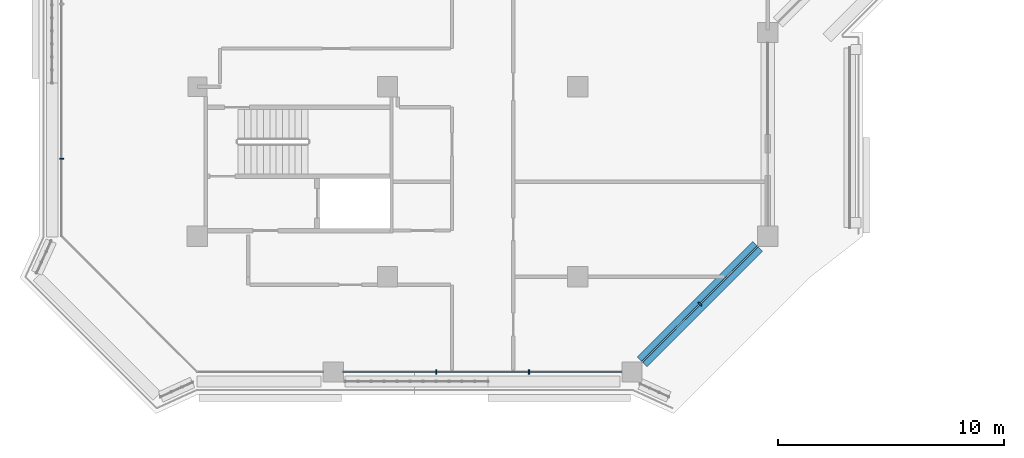
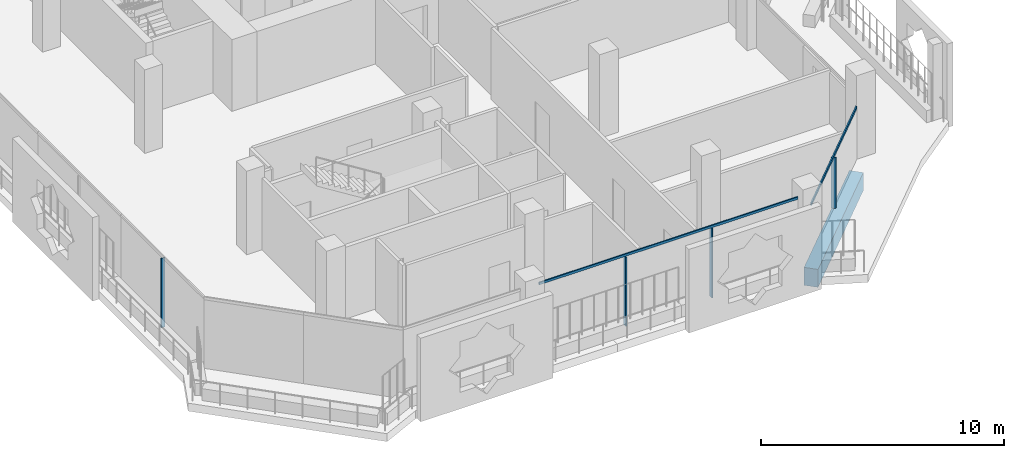
# One storey, part 2 of 23: 6 members, 1 beam, 3 elements without a shape of their own.
"""IFC4 building model written with IfcOpenShell, lengths in metres."""

import ifcopenshell
import ifcopenshell.guid

model = None  # the IFC model being written
_history = None  # IfcOwnerHistory: only IFC2X3 demands one
_inside = {}  # id of a spatial element -> (the spatial element, [elements in it])
_under = {}  # id of a project, library or spatial element -> (it, [spatial elements below it])
_declared = {}  # id of a project -> (the project, [libraries it declares])
_typed = {}  # id of a type object -> (the type object, [elements of that type])
_made_of = {}  # id of a material, layer set ... -> (it, [elements and type objects made of it])


def new_model(schema):
    """Start an empty IFC model of exactly this schema.

    Asked for "IFC4X3", IfcOpenShell would pick the latest addendum, in which some entities
    have other attributes; the version numbers below select the first issue.
    IFC2X3 requires an IfcOwnerHistory on every rooted entity: one is made here for all.
    """
    global model, _history
    if schema == "IFC4X3":
        model = ifcopenshell.file(schema_version=(4, 3, 0, 0))
    else:
        model = ifcopenshell.file(schema=schema)
    _inside.clear()
    _under.clear()
    _declared.clear()
    _typed.clear()
    _made_of.clear()
    _history = None
    if model.schema == "IFC2X3":
        org = make("IfcOrganization", Name="unknown")
        user = make(
            "IfcPersonAndOrganization",
            ThePerson=make("IfcPerson", FamilyName="unknown"),
            TheOrganization=org,
        )
        app = make(
            "IfcApplication",
            ApplicationDeveloper=org,
            Version="unknown",
            ApplicationFullName="unknown",
            ApplicationIdentifier="unknown",
        )
        _history = make(
            "IfcOwnerHistory",
            OwningUser=user,
            OwningApplication=app,
            ChangeAction="ADDED",
            CreationDate=0,
        )
    return model


def make(cls, **values):
    """One entity of the class cls with the attributes given. An attribute that is None is left unset."""
    return model.create_entity(
        cls, **{name: value for name, value in values.items() if value is not None}
    )


def rooted(cls, **values):
    """An entity with a GlobalId (a new one), such as an element, a storey or a relation."""
    return make(cls, GlobalId=ifcopenshell.guid.new(), OwnerHistory=_history, **values)


def si_unit(unit_type, name, prefix=None):
    """IfcSIUnit, for example si_unit("LENGTHUNIT", "METRE", prefix="MILLI")."""
    return make("IfcSIUnit", UnitType=unit_type, Prefix=prefix, Name=name)


def assignment(units):
    """IfcUnitAssignment: the units of a project."""
    return None if units is None else make("IfcUnitAssignment", Units=units)


def point(xyz):
    """IfcCartesianPoint."""
    return None if xyz is None else make("IfcCartesianPoint", Coordinates=xyz)


def direction(xyz):
    """IfcDirection."""
    return None if xyz is None else make("IfcDirection", DirectionRatios=xyz)


def frame(location, z_axis=None, x_axis=None):
    """IfcAxis2Placement3D, a coordinate frame: its origin and axes. An axis left out is left unset."""
    return make(
        "IfcAxis2Placement3D",
        Location=point(location),
        Axis=direction(z_axis),
        RefDirection=direction(x_axis),
    )


def frame_2d(location, x_axis=None):
    """IfcAxis2Placement2D, a coordinate frame in the plane: its origin and x axis."""
    return make(
        "IfcAxis2Placement2D", Location=point(location), RefDirection=direction(x_axis)
    )


def origin():
    """The frame at (0, 0, 0) with its axes left unset."""
    return frame((0.0, 0.0, 0.0))


def origin_2d():
    """The frame at (0, 0) in the plane with its x axis left unset."""
    return frame_2d((0.0, 0.0))


def place(relative_to, where):
    """IfcLocalPlacement: puts the frame where relative to a parent placement (None: the world)."""
    return make(
        "IfcLocalPlacement", PlacementRelTo=relative_to, RelativePlacement=where
    )


def context(
    kind, dimensions, precision=None, world=None, true_north=None, identifier=None
):
    """IfcGeometricRepresentationContext, for example the 3D "Model" context."""
    return make(
        "IfcGeometricRepresentationContext",
        ContextIdentifier=identifier,
        ContextType=kind,
        CoordinateSpaceDimension=dimensions,
        Precision=precision,
        WorldCoordinateSystem=world,
        TrueNorth=true_north,
    )


def subcontext(parent, identifier, kind, view, scale=None):
    """IfcGeometricRepresentationSubContext, for example "Body" below "Model"."""
    return make(
        "IfcGeometricRepresentationSubContext",
        ContextIdentifier=identifier,
        ContextType=kind,
        ParentContext=parent,
        TargetScale=scale,
        TargetView=view,
    )


def project(units=None, contexts=None):
    """IfcProject with its units and contexts."""
    return rooted(
        "IfcProject",
        Name="project",
        RepresentationContexts=contexts,
        UnitsInContext=assignment(units),
    )


def spatial(cls, under=None, at=None, **own):
    """A site, building, storey or space (cls), placed at a placement, below another one or the project."""
    s = rooted(cls, ObjectPlacement=at, **own)
    if under is not None:
        _under.setdefault(under.id(), (under, []))[1].append(s)
    return s


def profile(cls, at=None, kind="AREA", **sizes):
    """A parametric profile (cls). Its sizes go by their IFC names, for example OverallWidth=200.0."""
    return make(cls, ProfileType=kind, Position=at, **sizes)


def rectangle(**sizes):
    """IfcRectangleProfileDef."""
    return profile("IfcRectangleProfileDef", **sizes)


def extrude(swept, where, along, depth):
    """IfcExtrudedAreaSolid: the profile swept, set in the frame where, extruded along a direction by depth."""
    return make(
        "IfcExtrudedAreaSolid",
        SweptArea=swept,
        Position=where,
        ExtrudedDirection=direction(along),
        Depth=depth,
    )


def shape(context_of_items, identifier, shape_type, items):
    """IfcShapeRepresentation: the items that make up one representation, for example the "Body"."""
    return make(
        "IfcShapeRepresentation",
        ContextOfItems=context_of_items,
        RepresentationIdentifier=identifier,
        RepresentationType=shape_type,
        Items=items,
    )


def material(Name=None, Category=None):
    """IfcMaterial."""
    return make("IfcMaterial", Name=Name, Category=Category)


def layer(
    of_material, thickness, ventilated=None, Name=None, Category=None, Priority=None
):
    """IfcMaterialLayer: one layer of a wall or slab, of a material (None: an air gap)."""
    return make(
        "IfcMaterialLayer",
        Material=of_material,
        LayerThickness=thickness,
        IsVentilated=ventilated,
        Name=Name,
        Category=Category,
        Priority=Priority,
    )


def layer_set(layers, Name=None):
    """IfcMaterialLayerSet."""
    return make("IfcMaterialLayerSet", MaterialLayers=layers, LayerSetName=Name)


def material_profile(
    of_material, cross_section, Name=None, Category=None, Priority=None
):
    """IfcMaterialProfile: a cross section and its material."""
    return make(
        "IfcMaterialProfile",
        Name=Name,
        Material=of_material,
        Profile=cross_section,
        Priority=Priority,
        Category=Category,
    )


def profile_set(profiles, Name=None, composite=None):
    """IfcMaterialProfileSet."""
    return make(
        "IfcMaterialProfileSet",
        Name=Name,
        MaterialProfiles=profiles,
        CompositeProfile=composite,
    )


def made_of(thing, what):
    """Note that an element or type object is made of a material, layer set ...; save() writes the relation."""
    if what is not None:
        _made_of.setdefault(what.id(), (what, []))[1].append(thing)
    return thing


def type_object(cls, material=None, **own):
    """A type object (cls), such as IfcWallType, which elements share."""
    return made_of(rooted(cls, **own), material)


def element(
    cls,
    number,
    at=None,
    inside=None,
    cuts=None,
    type_object=None,
    material=None,
    context=None,
    identifier="Body",
    shape_type=None,
    held_by="IfcProductDefinitionShape",
    body=None,
    shapes=None,
    **own,
):
    """One element of the class cls, such as IfcWall. Its Tag is "e" and its number.

    at: its placement. inside: the storey or other place that contains it. cuts: it is an
    opening in that element (IfcRelVoidsElement). A single representation is given by context,
    identifier, shape_type and body (its items); several are given by shapes. held_by: the class
    of the entity that holds the representations. save() writes the other relations.
    """
    e = rooted(cls, Tag="e%d" % number, ObjectPlacement=at, **own)
    if body is not None:
        shapes = [shape(context, identifier, shape_type, body)]
    if shapes is not None:
        e.Representation = make(held_by, Representations=shapes)
    if inside is not None:
        _inside.setdefault(inside.id(), (inside, []))[1].append(e)
    if cuts is not None:
        rooted(
            "IfcRelVoidsElement", RelatingBuildingElement=cuts, RelatedOpeningElement=e
        )
    if type_object is not None:
        _typed.setdefault(type_object.id(), (type_object, []))[1].append(e)
    return made_of(e, material)


def aggregate(whole, parts):
    """IfcRelAggregates: a whole, such as a stair, and the parts it consists of."""
    return rooted("IfcRelAggregates", RelatingObject=whole, RelatedObjects=parts)


def save(model, path):
    """Write the relations noted so far, then the file.

    IfcRelAggregates (storeys below a building ...), IfcRelContainedInSpatialStructure (elements
    in a storey), IfcRelDefinesByType, IfcRelAssociatesMaterial and IfcRelDeclares: one each for
    every whole, place, type object, material and project.
    """
    for whole, parts in _under.values():
        aggregate(whole, parts)
    for where, things in _inside.values():
        rooted(
            "IfcRelContainedInSpatialStructure",
            RelatedElements=things,
            RelatingStructure=where,
        )
    for kind, things in _typed.values():
        rooted("IfcRelDefinesByType", RelatedObjects=things, RelatingType=kind)
    for what, things in _made_of.values():
        rooted("IfcRelAssociatesMaterial", RelatedObjects=things, RelatingMaterial=what)
    for by, libraries in _declared.values():
        rooted("IfcRelDeclares", RelatingContext=by, RelatedDefinitions=libraries)
    model.write(path)


model = new_model("IFC4")

# Units and contexts
model_context = context("Model", 3, precision=1e-05, world=origin(), true_north=direction((0.0, 1.0)))
body_context = subcontext(model_context, "Body", "Model", "MODEL_VIEW")
ifc_project = project(units=[si_unit("LENGTHUNIT", "METRE"), si_unit("AREAUNIT", "SQUARE_METRE"), si_unit("VOLUMEUNIT", "CUBIC_METRE"), si_unit("PLANEANGLEUNIT", "RADIAN"), si_unit("MASSUNIT", "GRAM", prefix="KILO")], contexts=[model_context])

# Site, building, storey
site_placement = place(None, origin())
site = spatial("IfcSite", under=ifc_project, at=site_placement, CompositionType="ELEMENT")
building_placement = place(site_placement, origin())
building = spatial("IfcBuilding", under=site, at=building_placement, Name="Kawkab Arch Medical Tower", CompositionType="ELEMENT")
storey_placement = place(building_placement, frame((0.0, 0.0, 247.39990234375)))
storey = spatial("IfcBuildingStorey", under=building, at=storey_placement, Name="L57", CompositionType="ELEMENT", Elevation=247.39990234375)

# Curtain wall, member
ifc_material_1 = material(Name="Bronze anodised aluminium curtain wall frame", Category="aluminium")
ifc_layer_1 = layer(ifc_material_1, 0.159912109375)
ifc_layer_set_1 = layer_set([ifc_layer_1], Name="Bronze anodised aluminium curtain wall frame")
curtain_wall_type_1 = type_object("IfcCurtainWallType", Name="CW1 ward curtain wall", PredefinedType="NOTDEFINED", material=ifc_layer_set_1)
placement = place(storey_placement, origin())
curtain_wall_1 = element("IfcCurtainWall", 1, at=placement, inside=storey, type_object=curtain_wall_type_1, Name="CW1 Ward curtain wall R01", PredefinedType="NOTDEFINED")
ifc_material_2 = material(Name="Bronze anodised aluminium curtain wall frame", Category="aluminium")
ifc_material_profile_1 = material_profile(ifc_material_2, rectangle(XDim=0.179931640625, YDim=0.06005859375, at=origin_2d()), Name="AL 60x180")
ifc_profile_set_1 = profile_set([ifc_material_profile_1], Name="Bronze anodised aluminium curtain wall frame")
member_type_1 = type_object("IfcMemberType", Name="CW1 mullion 60 x 180", PredefinedType="MULLION", material=ifc_profile_set_1)
member_1_placement = place(storey_placement, frame((-6.0, -36.780029296875, 0.0), z_axis=(0.0, 0.0, 1.0), x_axis=(1.0, 0.0, 0.0)))
member_1 = element("IfcMember", 2, at=member_1_placement, type_object=member_type_1, Name="CW1 mullion 5.1", PredefinedType="MULLION", context=body_context, shape_type="SweptSolid", body=[
    extrude(rectangle(XDim=0.179931640625, YDim=0.06005859375, at=origin_2d()), origin(), (0.0, 0.0, 1.0), 3.47998046875),
])
aggregate(curtain_wall_1, [member_1])

# Curtain wall, members
curtain_wall_2 = element("IfcCurtainWall", 3, at=placement, inside=storey, type_object=curtain_wall_type_1, Name="CW1 Ward curtain wall R03", PredefinedType="NOTDEFINED")
member_2_placement = place(storey_placement, frame((10.550048828125, -46.199951171875, 0.0), z_axis=(0.0, 0.0, 1.0), x_axis=(0.0, 1.0, 0.0)))
member_2 = element("IfcMember", 4, at=member_2_placement, type_object=member_type_1, Name="CW1 mullion 2.1", PredefinedType="MULLION", context=body_context, shape_type="SweptSolid", body=[
    extrude(rectangle(XDim=0.179931640625, YDim=0.06005859375, at=origin_2d()), origin(), (0.0, 0.0, 1.0), 3.47998046875),
])
member_3_placement = place(storey_placement, frame((14.64990234375, -46.199951171875, 0.0), z_axis=(0.0, 0.0, 1.0), x_axis=(0.0, 1.0, 0.0)))
member_3 = element("IfcMember", 5, at=member_3_placement, type_object=member_type_1, Name="CW1 mullion 2.2", PredefinedType="MULLION", context=body_context, shape_type="SweptSolid", body=[
    extrude(rectangle(XDim=0.179931640625, YDim=0.06005859375, at=origin_2d()), origin(), (0.0, 0.0, 1.0), 3.47998046875),
])
ifc_material_3 = material(Name="Bronze anodised aluminium curtain wall frame", Category="aluminium")
ifc_material_profile_2 = material_profile(ifc_material_3, rectangle(XDim=0.06005859375, YDim=0.1201171875, at=origin_2d()), Name="AL 60x120")
ifc_profile_set_2 = profile_set([ifc_material_profile_2], Name="Bronze anodised aluminium curtain wall frame")
member_type_2 = type_object("IfcMemberType", Name="CW1 transom 120 x 60", PredefinedType="USERDEFINED", material=ifc_profile_set_2)
member_4_placement = place(storey_placement, frame((6.449951171875, -46.199951171875, 3.5400390625), z_axis=(1.0, 0.0, 0.0), x_axis=(0.0, 1.0, 0.0)))
member_4 = element("IfcMember", 6, at=member_4_placement, type_object=member_type_2, Name="CW1 transom 2", ObjectType="TRANSOM", PredefinedType="USERDEFINED", context=body_context, shape_type="SweptSolid", body=[
    extrude(rectangle(XDim=0.06005859375, YDim=0.1201171875, at=origin_2d()), origin(), (0.0, 0.0, 1.0), 12.300048828125),
])
aggregate(curtain_wall_2, [member_4, member_2, member_3])

ifc_material_4 = material(Name="Bronze anodised aluminium curtain wall frame", Category="aluminium")
ifc_layer_2 = layer(ifc_material_4, 0.159912109375)
ifc_layer_set_2 = layer_set([ifc_layer_2], Name="Bronze anodised aluminium curtain wall frame")
curtain_wall_type_2 = type_object("IfcCurtainWallType", Name="CW2 chamfer curtain wall", PredefinedType="NOTDEFINED", material=ifc_layer_set_2)
curtain_wall_3 = element("IfcCurtainWall", 7, at=placement, inside=storey, type_object=curtain_wall_type_2, Name="CW2 Chamfer curtain wall R04", PredefinedType="NOTDEFINED")
ifc_material_5 = material(Name="Bronze anodised aluminium curtain wall frame", Category="aluminium")
ifc_material_profile_3 = material_profile(ifc_material_5, rectangle(XDim=0.199951171875, YDim=0.06005859375, at=origin_2d()), Name="AL 60x200")
ifc_profile_set_3 = profile_set([ifc_material_profile_3], Name="Bronze anodised aluminium curtain wall frame")
member_type_3 = type_object("IfcMemberType", Name="CW2 mullion 60 x 200", PredefinedType="MULLION", material=ifc_profile_set_3)
member_5_placement = place(storey_placement, frame((22.199951171875, -43.199951171875, 0.0), z_axis=(0.0, 0.0, 1.0), x_axis=(-0.707106781187, 0.707106781187, 0.0)))
member_5 = element("IfcMember", 8, at=member_5_placement, type_object=member_type_3, Name="CW2 mullion 1.1", PredefinedType="MULLION", context=body_context, shape_type="SweptSolid", body=[
    extrude(rectangle(XDim=0.199951171875, YDim=0.06005859375, at=origin_2d()), origin(), (0.0, 0.0, 1.0), 2.56005859375),
])
ifc_material_6 = material(Name="Bronze anodised aluminium curtain wall frame", Category="aluminium")
ifc_material_profile_4 = material_profile(ifc_material_6, rectangle(XDim=0.06005859375, YDim=0.139892578125, at=origin_2d()), Name="AL 60x140")
ifc_profile_set_4 = profile_set([ifc_material_profile_4], Name="Bronze anodised aluminium curtain wall frame")
member_type_4 = type_object("IfcMemberType", Name="CW2 transom 140 x 60", PredefinedType="USERDEFINED", material=ifc_profile_set_4)
member_6_placement = place(storey_placement, frame((19.64990234375, -45.75, 2.630126953125), z_axis=(0.707106781187, 0.707106781187, 0.0), x_axis=(-0.707106781187, 0.707106781187, 0.0)))
member_6 = element("IfcMember", 9, at=member_6_placement, type_object=member_type_4, Name="CW2 transom 1", ObjectType="TRANSOM", PredefinedType="USERDEFINED", context=body_context, shape_type="SweptSolid", body=[
    extrude(rectangle(XDim=0.06005859375, YDim=0.139892578125, at=origin_2d()), origin(), (0.0, 0.0, 1.0), 7.212646484375),
])
aggregate(curtain_wall_3, [member_6, member_5])

# Beam
ifc_material_7 = material(Name="Concrete C45/55", Category="concrete")
ifc_material_profile_5 = material_profile(ifc_material_7, rectangle(XDim=0.60009765625, YDim=0.89990234375, at=origin_2d()), Name="RC 600x900")
ifc_profile_set_5 = profile_set([ifc_material_profile_5], Name="Concrete C45/55")
beam_type = type_object("IfcBeamType", Name="RC 600x900 beam C45/55", PredefinedType="BEAM", material=ifc_profile_set_5)
beam_placement = place(storey_placement, frame((24.75, -40.64990234375, -1.0498046875), z_axis=(-0.707106781187, -0.707106781187, 0.0), x_axis=(0.707106781187, -0.707106781187, 0.0)))
element("IfcBeam", 10, at=beam_placement, inside=storey, type_object=beam_type, Name="Overhang edge beam L57-06", PredefinedType="BEAM", context=body_context, shape_type="SweptSolid", body=[
    extrude(rectangle(XDim=0.60009765625, YDim=0.89990234375, at=origin_2d()), origin(), (0.0, 0.0, 1.0), 7.212646484375),
])

save(model, "model.ifc")
